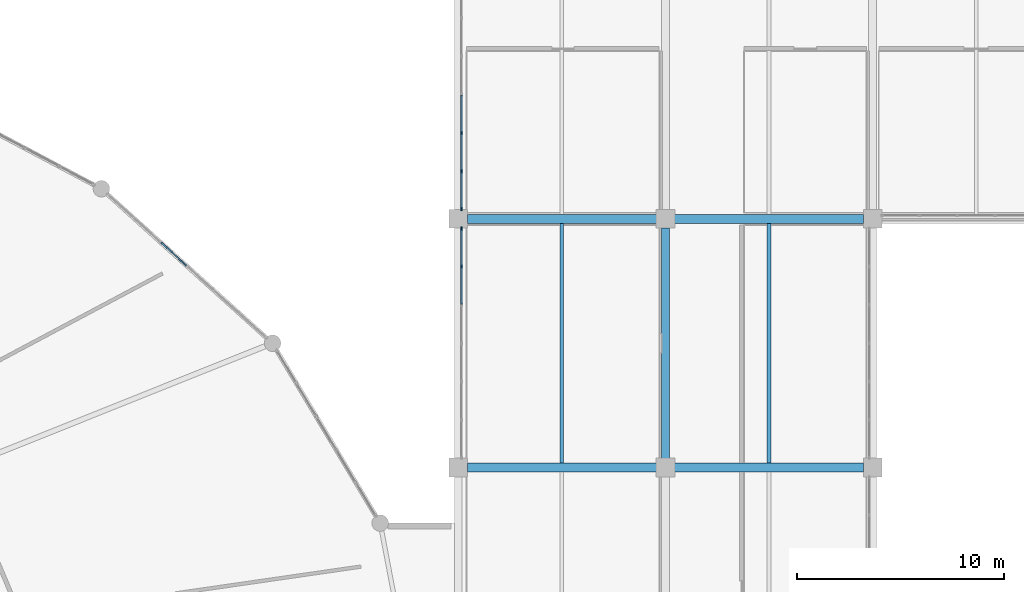
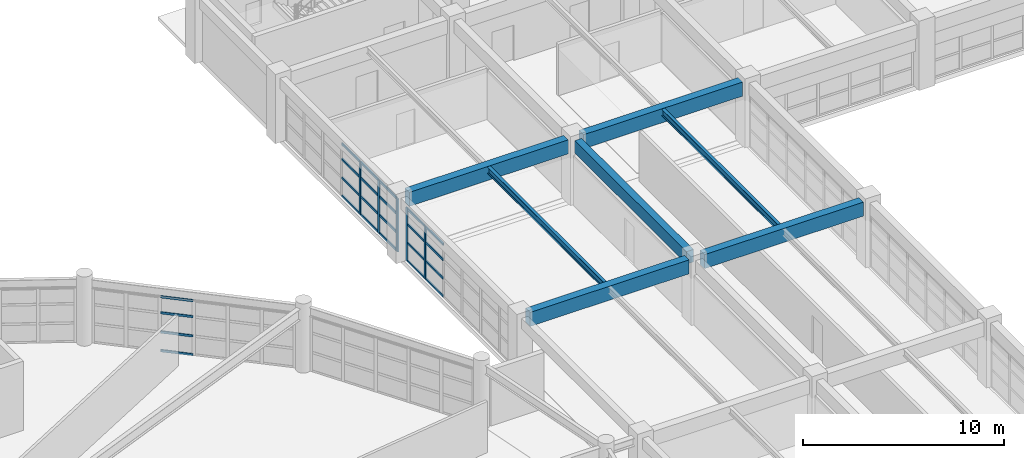
# One storey, part 48 of 100: 29 members, 7 beams, 3 elements without a shape of their own.
"""IFC4 building model written with IfcOpenShell, lengths in metres."""

from ifc_helpers import new_model, si_unit, direction, frame, origin, origin_2d, place, context, subcontext, project, spatial, rectangle, i_section, extrude, material, layer, layer_set, material_profile, profile_set, type_object, element, aggregate, save


model = new_model("IFC4")

# Units and contexts
model_context = context("Model", 3, precision=1e-05, world=origin(), true_north=direction((0.0, 1.0)))
body_context = subcontext(model_context, "Body", "Model", "MODEL_VIEW")
ifc_project = project(units=[si_unit("LENGTHUNIT", "METRE"), si_unit("AREAUNIT", "SQUARE_METRE"), si_unit("VOLUMEUNIT", "CUBIC_METRE"), si_unit("PLANEANGLEUNIT", "RADIAN"), si_unit("MASSUNIT", "GRAM", prefix="KILO")], contexts=[model_context])

# Site, building, storey
site_placement = place(None, origin())
site = spatial("IfcSite", under=ifc_project, at=site_placement, CompositionType="ELEMENT")
building_placement = place(site_placement, origin())
building = spatial("IfcBuilding", under=site, at=building_placement, Name="Kivolera Central Railway Station", CompositionType="ELEMENT")
storey_placement = place(building_placement, frame((0.0, 0.0, 5.39990234375)))
storey = spatial("IfcBuildingStorey", under=building, at=storey_placement, Name="L01", CompositionType="ELEMENT", Elevation=5.39990234375)

# Beams
ifc_material_1 = material(Name="Steel S355", Category="steel")
ifc_material_profile_1 = material_profile(ifc_material_1, i_section(OverallWidth=0.179931640625, OverallDepth=0.39990234375, WebThickness=0.008544921875, FlangeThickness=0.013427734375, FilletRadius=0.02099609375, at=origin_2d()), Name="IPE 400")
ifc_profile_set_1 = profile_set([ifc_material_profile_1], Name="Steel S355")
beam_type_1 = type_object("IfcBeamType", Name="BM-JST-IPE400", PredefinedType="JOIST", material=ifc_profile_set_1)
for number, where, z_axis, x_axis, name in (
    (1, (123.0, 102.217041015625, 3.668212890625), (0.0, 1.0, 0.0), (-1.0, 0.0, 0.0), "L01 Floor Joist 12-13/J-K"),
    (2, (133.0, 102.217041015625, 3.668212890625), (0.0, 1.0, 0.0), (-1.0, 0.0, 0.0), "L01 Floor Joist 13-14/J-K"),
):
    element("IfcBeam", number, at=place(storey_placement, frame(where, z_axis=z_axis, x_axis=x_axis)), inside=storey, type_object=beam_type_1, Name=name, PredefinedType="JOIST", context=body_context, shape_type="SweptSolid", body=[
        extrude(i_section(OverallWidth=0.179931640625, OverallDepth=0.39990234375, WebThickness=0.008544921875, FlangeThickness=0.013427734375, FilletRadius=0.02099609375, at=origin_2d()), origin(), (0.0, 0.0, 1.0), 11.56591796875),
    ])
ifc_material_2 = material(Name="Concrete C40/50", Category="concrete")
ifc_material_profile_2 = material_profile(ifc_material_2, rectangle(XDim=0.39990234375, YDim=0.75, at=origin_2d()), Name="RC 400x750")
ifc_profile_set_2 = profile_set([ifc_material_profile_2], Name="Concrete C40/50")
beam_type_2 = type_object("IfcBeamType", Name="BM-RC-400x750", PredefinedType="BEAM", material=ifc_profile_set_2)
beam_placement = place(storey_placement, frame((128.0, 102.44189453125, 3.505126953125), z_axis=(0.0, 1.0, 0.0), x_axis=(-1.0, 0.0, 0.0)))
element("IfcBeam", 3, at=beam_placement, inside=storey, type_object=beam_type_2, Name="L01 Wing Y-Beam 13:J-K", PredefinedType="BEAM", context=body_context, shape_type="SweptSolid", body=[
    extrude(rectangle(XDim=0.39990234375, YDim=0.75, at=origin_2d()), origin(), (0.0, 0.0, 1.0), 11.1162109375),
])
ifc_material_profile_3 = material_profile(ifc_material_2, rectangle(XDim=0.449951171875, YDim=0.85009765625, at=origin_2d()), Name="RC 450x850")
ifc_profile_set_3 = profile_set([ifc_material_profile_3], Name="Concrete C40/50")
beam_type_3 = type_object("IfcBeamType", Name="BM-RC-450x850", PredefinedType="BEAM", material=ifc_profile_set_3)
for number, where, z_axis, x_axis, name in (
    (4, (118.44189453125, 102.0, 3.455078125), (1.0, 0.0, 0.0), (0.0, 1.0, 0.0), "L01 Wing X-Beam J:12-13"),
    (5, (128.44189453125, 102.0, 3.455078125), (1.0, 0.0, 0.0), (0.0, 1.0, 0.0), "L01 Wing X-Beam J:13-14"),
    (6, (118.44189453125, 114.0, 3.455078125), (1.0, 0.0, 0.0), (0.0, 1.0, 0.0), "L01 Wing X-Beam K:12-13"),
    (7, (128.44189453125, 114.0, 3.455078125), (1.0, 0.0, 0.0), (0.0, 1.0, 0.0), "L01 Wing X-Beam K:13-14"),
):
    element("IfcBeam", number, at=place(storey_placement, frame(where, z_axis=z_axis, x_axis=x_axis)), inside=storey, type_object=beam_type_3, Name=name, PredefinedType="BEAM", context=body_context, shape_type="SweptSolid", body=[
        extrude(rectangle(XDim=0.449951171875, YDim=0.85009765625, at=origin_2d()), origin(), (0.0, 0.0, 1.0), 9.1162109375),
    ])

# Curtain wall, members
ifc_material_3 = material(Name="Anodised aluminium", Category="aluminium")
ifc_layer_1 = layer(ifc_material_3, 0.179931640625, Name="Anodised aluminium")
ifc_layer_set_1 = layer_set([ifc_layer_1], Name="Anodised aluminium")
curtain_wall_type_1 = type_object("IfcCurtainWallType", Name="CW-SYS-26", PredefinedType="NOTDEFINED", material=ifc_layer_set_1)
curtain_wall_1_placement = place(storey_placement, origin())
curtain_wall_1 = element("IfcCurtainWall", 8, at=curtain_wall_1_placement, inside=storey, type_object=curtain_wall_type_1, Name="L01 Curtain Wall CW-L01-WEST-J", PredefinedType="NOTDEFINED")
ifc_material_profile_4 = material_profile(ifc_material_3, rectangle(XDim=0.070068359375, YDim=0.179931640625, at=origin_2d()), Name="ALU MULL 70x180")
ifc_profile_set_4 = profile_set([ifc_material_profile_4], Name="Anodised aluminium")
member_type_1 = type_object("IfcMemberType", Name="CWM-MUL-1", PredefinedType="MULLION", material=ifc_profile_set_4)
member_1_placement = place(storey_placement, frame((118.159912109375, 111.703369140625, -0.0048828125), z_axis=(0.0, 0.0, 1.0), x_axis=(-1.0, 0.0, 0.0)))
member_1 = element("IfcMember", 9, at=member_1_placement, type_object=member_type_1, Name="CW-26 mullion 6", PredefinedType="MULLION", context=body_context, shape_type="SweptSolid", body=[
    extrude(rectangle(XDim=0.070068359375, YDim=0.179931640625, at=origin_2d()), origin(), (0.0, 0.0, 1.0), 3.222900390625),
])
member_2_placement = place(storey_placement, frame((118.159912109375, 113.52001953125, -0.0048828125), z_axis=(0.0, 0.0, 1.0), x_axis=(-1.0, 0.0, 0.0)))
member_2 = element("IfcMember", 10, at=member_2_placement, type_object=member_type_1, Name="CW-26 mullion 7", PredefinedType="MULLION", context=body_context, shape_type="SweptSolid", body=[
    extrude(rectangle(XDim=0.070068359375, YDim=0.179931640625, at=origin_2d()), origin(), (0.0, 0.0, 1.0), 3.222900390625),
])

curtain_wall_2_placement = place(storey_placement, origin())
curtain_wall_2 = element("IfcCurtainWall", 11, at=curtain_wall_2_placement, inside=storey, type_object=curtain_wall_type_1, Name="L01 Curtain Wall CW-L01-WEST-K", PredefinedType="NOTDEFINED")
member_3_placement = place(storey_placement, frame((118.159912109375, 114.47998046875, -0.0048828125), z_axis=(0.0, 0.0, 1.0), x_axis=(-1.0, 0.0, 0.0)))
member_3 = element("IfcMember", 12, at=member_3_placement, type_object=member_type_1, Name="CW-26 mullion 1", PredefinedType="MULLION", context=body_context, shape_type="SweptSolid", body=[
    extrude(rectangle(XDim=0.070068359375, YDim=0.179931640625, at=origin_2d()), origin(), (0.0, 0.0, 1.0), 3.222900390625),
])
member_4_placement = place(storey_placement, frame((118.159912109375, 116.296630859375, -0.0048828125), z_axis=(0.0, 0.0, 1.0), x_axis=(-1.0, 0.0, 0.0)))
member_4 = element("IfcMember", 13, at=member_4_placement, type_object=member_type_1, Name="CW-26 mullion 2", PredefinedType="MULLION", context=body_context, shape_type="SweptSolid", body=[
    extrude(rectangle(XDim=0.070068359375, YDim=0.179931640625, at=origin_2d()), origin(), (0.0, 0.0, 1.0), 3.222900390625),
])
member_5_placement = place(storey_placement, frame((118.159912109375, 118.1484375, -0.0048828125), z_axis=(0.0, 0.0, 1.0), x_axis=(-1.0, 0.0, 0.0)))
member_5 = element("IfcMember", 14, at=member_5_placement, type_object=member_type_1, Name="CW-26 mullion 3", PredefinedType="MULLION", context=body_context, shape_type="SweptSolid", body=[
    extrude(rectangle(XDim=0.070068359375, YDim=0.179931640625, at=origin_2d()), origin(), (0.0, 0.0, 1.0), 3.222900390625),
])

ifc_layer_2 = layer(ifc_material_3, 0.179931640625, Name="Anodised aluminium")
ifc_layer_set_2 = layer_set([ifc_layer_2], Name="Anodised aluminium")
curtain_wall_type_2 = type_object("IfcCurtainWallType", Name="CW-SYS-05", PredefinedType="NOTDEFINED", material=ifc_layer_set_2)
curtain_wall_3_placement = place(storey_placement, origin())
curtain_wall_3 = element("IfcCurtainWall", 15, at=curtain_wall_3_placement, inside=storey, type_object=curtain_wall_type_2, Name="L01 Curtain Wall CW-L01-OVL-02", PredefinedType="NOTDEFINED")
ifc_material_profile_5 = material_profile(ifc_material_3, rectangle(XDim=0.070068359375, YDim=0.139892578125, at=origin_2d()), Name="ALU TRAN 70x140")
ifc_profile_set_5 = profile_set([ifc_material_profile_5], Name="Anodised aluminium")
member_type_2 = type_object("IfcMemberType", Name="CWM-TRN-1", PredefinedType="USERDEFINED", material=ifc_profile_set_5)
member_6_placement = place(storey_placement, frame((103.6494140625, 112.85791015625, 0.03515625), z_axis=(0.742396704206, -0.669960546289, 0.0), x_axis=(0.669960546289, 0.742396704206, 0.0)))
member_6 = element("IfcMember", 16, at=member_6_placement, type_object=member_type_2, Name="CW-05 transom 3.1", ObjectType="TRANSOM", PredefinedType="USERDEFINED", context=body_context, shape_type="SweptSolid", body=[
    extrude(rectangle(XDim=0.070068359375, YDim=0.139892578125, at=origin_2d()), origin(), (0.0, 0.0, 1.0), 1.651611328125),
])
member_7_placement = place(storey_placement, frame((103.6494140625, 112.85791015625, 1.169189453125), z_axis=(0.742396704206, -0.669960546289, 0.0), x_axis=(0.669960546289, 0.742396704206, 0.0)))
member_7 = element("IfcMember", 17, at=member_7_placement, type_object=member_type_2, Name="CW-05 transom 3.2", ObjectType="TRANSOM", PredefinedType="USERDEFINED", context=body_context, shape_type="SweptSolid", body=[
    extrude(rectangle(XDim=0.070068359375, YDim=0.139892578125, at=origin_2d()), origin(), (0.0, 0.0, 1.0), 1.651611328125),
])
member_8_placement = place(storey_placement, frame((103.6494140625, 112.85791015625, 2.338134765625), z_axis=(0.742396704206, -0.669960546289, 0.0), x_axis=(0.669960546289, 0.742396704206, 0.0)))
member_8 = element("IfcMember", 18, at=member_8_placement, type_object=member_type_2, Name="CW-05 transom 3.3", ObjectType="TRANSOM", PredefinedType="USERDEFINED", context=body_context, shape_type="SweptSolid", body=[
    extrude(rectangle(XDim=0.070068359375, YDim=0.139892578125, at=origin_2d()), origin(), (0.0, 0.0, 1.0), 1.651611328125),
])
member_9_placement = place(storey_placement, frame((103.6494140625, 112.85791015625, 3.30517578125), z_axis=(0.742396704206, -0.669960546289, 0.0), x_axis=(0.669960546289, 0.742396704206, 0.0)))
member_9 = element("IfcMember", 19, at=member_9_placement, type_object=member_type_2, Name="CW-05 transom 3.4", ObjectType="TRANSOM", PredefinedType="USERDEFINED", context=body_context, shape_type="SweptSolid", body=[
    extrude(rectangle(XDim=0.070068359375, YDim=0.139892578125, at=origin_2d()), origin(), (0.0, 0.0, 1.0), 1.651611328125),
])
aggregate(curtain_wall_3, [member_6, member_7, member_8, member_9])

# Member
member_10_placement = place(storey_placement, frame((118.159912109375, 109.88671875, 0.03515625), z_axis=(0.0, 1.0, 0.0), x_axis=(-1.0, 0.0, 0.0)))
member_10 = element("IfcMember", 20, at=member_10_placement, type_object=member_type_2, Name="CW-26 transom 5.1", ObjectType="TRANSOM", PredefinedType="USERDEFINED", context=body_context, shape_type="SweptSolid", body=[
    extrude(rectangle(XDim=0.070068359375, YDim=0.139892578125, at=origin_2d()), origin(), (0.0, 0.0, 1.0), 1.781494140625),
])

member_11_placement = place(storey_placement, frame((118.159912109375, 109.88671875, 1.12646484375), z_axis=(0.0, 1.0, 0.0), x_axis=(-1.0, 0.0, 0.0)))
member_11 = element("IfcMember", 21, at=member_11_placement, type_object=member_type_2, Name="CW-26 transom 5.2", ObjectType="TRANSOM", PredefinedType="USERDEFINED", context=body_context, shape_type="SweptSolid", body=[
    extrude(rectangle(XDim=0.070068359375, YDim=0.139892578125, at=origin_2d()), origin(), (0.0, 0.0, 1.0), 1.781494140625),
])

member_12_placement = place(storey_placement, frame((118.159912109375, 109.88671875, 2.252685546875), z_axis=(0.0, 1.0, 0.0), x_axis=(-1.0, 0.0, 0.0)))
member_12 = element("IfcMember", 22, at=member_12_placement, type_object=member_type_2, Name="CW-26 transom 5.3", ObjectType="TRANSOM", PredefinedType="USERDEFINED", context=body_context, shape_type="SweptSolid", body=[
    extrude(rectangle(XDim=0.070068359375, YDim=0.139892578125, at=origin_2d()), origin(), (0.0, 0.0, 1.0), 1.781494140625),
])

member_13_placement = place(storey_placement, frame((118.159912109375, 109.88671875, 3.18310546875), z_axis=(0.0, 1.0, 0.0), x_axis=(-1.0, 0.0, 0.0)))
member_13 = element("IfcMember", 23, at=member_13_placement, type_object=member_type_2, Name="CW-26 transom 5.4", ObjectType="TRANSOM", PredefinedType="USERDEFINED", context=body_context, shape_type="SweptSolid", body=[
    extrude(rectangle(XDim=0.070068359375, YDim=0.139892578125, at=origin_2d()), origin(), (0.0, 0.0, 1.0), 1.781494140625),
])

member_14_placement = place(storey_placement, frame((118.159912109375, 111.73828125, 0.03515625), z_axis=(0.0, 1.0, 0.0), x_axis=(-1.0, 0.0, 0.0)))
member_14 = element("IfcMember", 24, at=member_14_placement, type_object=member_type_2, Name="CW-26 transom 6.1", ObjectType="TRANSOM", PredefinedType="USERDEFINED", context=body_context, shape_type="SweptSolid", body=[
    extrude(rectangle(XDim=0.070068359375, YDim=0.139892578125, at=origin_2d()), origin(), (0.0, 0.0, 1.0), 1.746826171875),
])

member_15_placement = place(storey_placement, frame((118.159912109375, 111.73828125, 1.12646484375), z_axis=(0.0, 1.0, 0.0), x_axis=(-1.0, 0.0, 0.0)))
member_15 = element("IfcMember", 25, at=member_15_placement, type_object=member_type_2, Name="CW-26 transom 6.2", ObjectType="TRANSOM", PredefinedType="USERDEFINED", context=body_context, shape_type="SweptSolid", body=[
    extrude(rectangle(XDim=0.070068359375, YDim=0.139892578125, at=origin_2d()), origin(), (0.0, 0.0, 1.0), 1.746826171875),
])

member_16_placement = place(storey_placement, frame((118.159912109375, 111.73828125, 2.252685546875), z_axis=(0.0, 1.0, 0.0), x_axis=(-1.0, 0.0, 0.0)))
member_16 = element("IfcMember", 26, at=member_16_placement, type_object=member_type_2, Name="CW-26 transom 6.3", ObjectType="TRANSOM", PredefinedType="USERDEFINED", context=body_context, shape_type="SweptSolid", body=[
    extrude(rectangle(XDim=0.070068359375, YDim=0.139892578125, at=origin_2d()), origin(), (0.0, 0.0, 1.0), 1.746826171875),
])

member_17_placement = place(storey_placement, frame((118.159912109375, 111.73828125, 3.18310546875), z_axis=(0.0, 1.0, 0.0), x_axis=(-1.0, 0.0, 0.0)))
member_17 = element("IfcMember", 27, at=member_17_placement, type_object=member_type_2, Name="CW-26 transom 6.4", ObjectType="TRANSOM", PredefinedType="USERDEFINED", context=body_context, shape_type="SweptSolid", body=[
    extrude(rectangle(XDim=0.070068359375, YDim=0.139892578125, at=origin_2d()), origin(), (0.0, 0.0, 1.0), 1.746826171875),
])

aggregate(curtain_wall_1, [member_1, member_2, member_10, member_11, member_12, member_13, member_14, member_15, member_16, member_17])

member_18_placement = place(storey_placement, frame((118.159912109375, 114.514892578125, 0.03515625), z_axis=(0.0, 1.0, 0.0), x_axis=(-1.0, 0.0, 0.0)))
member_18 = element("IfcMember", 28, at=member_18_placement, type_object=member_type_2, Name="CW-26 transom 1.1", ObjectType="TRANSOM", PredefinedType="USERDEFINED", context=body_context, shape_type="SweptSolid", body=[
    extrude(rectangle(XDim=0.070068359375, YDim=0.139892578125, at=origin_2d()), origin(), (0.0, 0.0, 1.0), 1.746826171875),
])

member_19_placement = place(storey_placement, frame((118.159912109375, 114.514892578125, 1.12646484375), z_axis=(0.0, 1.0, 0.0), x_axis=(-1.0, 0.0, 0.0)))
member_19 = element("IfcMember", 29, at=member_19_placement, type_object=member_type_2, Name="CW-26 transom 1.2", ObjectType="TRANSOM", PredefinedType="USERDEFINED", context=body_context, shape_type="SweptSolid", body=[
    extrude(rectangle(XDim=0.070068359375, YDim=0.139892578125, at=origin_2d()), origin(), (0.0, 0.0, 1.0), 1.746826171875),
])

member_20_placement = place(storey_placement, frame((118.159912109375, 114.514892578125, 2.252685546875), z_axis=(0.0, 1.0, 0.0), x_axis=(-1.0, 0.0, 0.0)))
member_20 = element("IfcMember", 30, at=member_20_placement, type_object=member_type_2, Name="CW-26 transom 1.3", ObjectType="TRANSOM", PredefinedType="USERDEFINED", context=body_context, shape_type="SweptSolid", body=[
    extrude(rectangle(XDim=0.070068359375, YDim=0.139892578125, at=origin_2d()), origin(), (0.0, 0.0, 1.0), 1.746826171875),
])

member_21_placement = place(storey_placement, frame((118.159912109375, 114.514892578125, 3.18310546875), z_axis=(0.0, 1.0, 0.0), x_axis=(-1.0, 0.0, 0.0)))
member_21 = element("IfcMember", 31, at=member_21_placement, type_object=member_type_2, Name="CW-26 transom 1.4", ObjectType="TRANSOM", PredefinedType="USERDEFINED", context=body_context, shape_type="SweptSolid", body=[
    extrude(rectangle(XDim=0.070068359375, YDim=0.139892578125, at=origin_2d()), origin(), (0.0, 0.0, 1.0), 1.746826171875),
])

member_22_placement = place(storey_placement, frame((118.159912109375, 116.331787109375, 0.03515625), z_axis=(0.0, 1.0, 0.0), x_axis=(-1.0, 0.0, 0.0)))
member_22 = element("IfcMember", 32, at=member_22_placement, type_object=member_type_2, Name="CW-26 transom 2.1", ObjectType="TRANSOM", PredefinedType="USERDEFINED", context=body_context, shape_type="SweptSolid", body=[
    extrude(rectangle(XDim=0.070068359375, YDim=0.139892578125, at=origin_2d()), origin(), (0.0, 0.0, 1.0), 1.781494140625),
])

member_23_placement = place(storey_placement, frame((118.159912109375, 116.331787109375, 1.12646484375), z_axis=(0.0, 1.0, 0.0), x_axis=(-1.0, 0.0, 0.0)))
member_23 = element("IfcMember", 33, at=member_23_placement, type_object=member_type_2, Name="CW-26 transom 2.2", ObjectType="TRANSOM", PredefinedType="USERDEFINED", context=body_context, shape_type="SweptSolid", body=[
    extrude(rectangle(XDim=0.070068359375, YDim=0.139892578125, at=origin_2d()), origin(), (0.0, 0.0, 1.0), 1.781494140625),
])

member_24_placement = place(storey_placement, frame((118.159912109375, 116.331787109375, 2.252685546875), z_axis=(0.0, 1.0, 0.0), x_axis=(-1.0, 0.0, 0.0)))
member_24 = element("IfcMember", 34, at=member_24_placement, type_object=member_type_2, Name="CW-26 transom 2.3", ObjectType="TRANSOM", PredefinedType="USERDEFINED", context=body_context, shape_type="SweptSolid", body=[
    extrude(rectangle(XDim=0.070068359375, YDim=0.139892578125, at=origin_2d()), origin(), (0.0, 0.0, 1.0), 1.781494140625),
])

member_25_placement = place(storey_placement, frame((118.159912109375, 116.331787109375, 3.18310546875), z_axis=(0.0, 1.0, 0.0), x_axis=(-1.0, 0.0, 0.0)))
member_25 = element("IfcMember", 35, at=member_25_placement, type_object=member_type_2, Name="CW-26 transom 2.4", ObjectType="TRANSOM", PredefinedType="USERDEFINED", context=body_context, shape_type="SweptSolid", body=[
    extrude(rectangle(XDim=0.070068359375, YDim=0.139892578125, at=origin_2d()), origin(), (0.0, 0.0, 1.0), 1.781494140625),
])

member_26_placement = place(storey_placement, frame((118.159912109375, 118.183349609375, 0.03515625), z_axis=(0.0, 1.0, 0.0), x_axis=(-1.0, 0.0, 0.0)))
member_26 = element("IfcMember", 36, at=member_26_placement, type_object=member_type_2, Name="CW-26 transom 3.1", ObjectType="TRANSOM", PredefinedType="USERDEFINED", context=body_context, shape_type="SweptSolid", body=[
    extrude(rectangle(XDim=0.070068359375, YDim=0.139892578125, at=origin_2d()), origin(), (0.0, 0.0, 1.0), 1.78173828125),
])

member_27_placement = place(storey_placement, frame((118.159912109375, 118.183349609375, 1.12646484375), z_axis=(0.0, 1.0, 0.0), x_axis=(-1.0, 0.0, 0.0)))
member_27 = element("IfcMember", 37, at=member_27_placement, type_object=member_type_2, Name="CW-26 transom 3.2", ObjectType="TRANSOM", PredefinedType="USERDEFINED", context=body_context, shape_type="SweptSolid", body=[
    extrude(rectangle(XDim=0.070068359375, YDim=0.139892578125, at=origin_2d()), origin(), (0.0, 0.0, 1.0), 1.78173828125),
])

member_28_placement = place(storey_placement, frame((118.159912109375, 118.183349609375, 2.252685546875), z_axis=(0.0, 1.0, 0.0), x_axis=(-1.0, 0.0, 0.0)))
member_28 = element("IfcMember", 38, at=member_28_placement, type_object=member_type_2, Name="CW-26 transom 3.3", ObjectType="TRANSOM", PredefinedType="USERDEFINED", context=body_context, shape_type="SweptSolid", body=[
    extrude(rectangle(XDim=0.070068359375, YDim=0.139892578125, at=origin_2d()), origin(), (0.0, 0.0, 1.0), 1.78173828125),
])

member_29_placement = place(storey_placement, frame((118.159912109375, 118.183349609375, 3.18310546875), z_axis=(0.0, 1.0, 0.0), x_axis=(-1.0, 0.0, 0.0)))
member_29 = element("IfcMember", 39, at=member_29_placement, type_object=member_type_2, Name="CW-26 transom 3.4", ObjectType="TRANSOM", PredefinedType="USERDEFINED", context=body_context, shape_type="SweptSolid", body=[
    extrude(rectangle(XDim=0.070068359375, YDim=0.139892578125, at=origin_2d()), origin(), (0.0, 0.0, 1.0), 1.78173828125),
])

aggregate(curtain_wall_2, [member_3, member_4, member_5, member_18, member_19, member_20, member_21, member_22, member_23, member_24, member_25, member_26, member_27, member_28, member_29])

save(model, "model.ifc")
